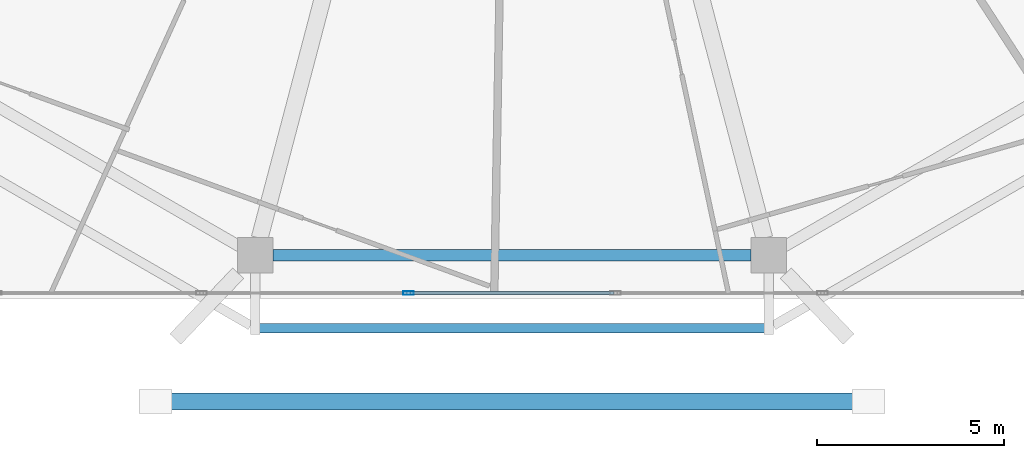
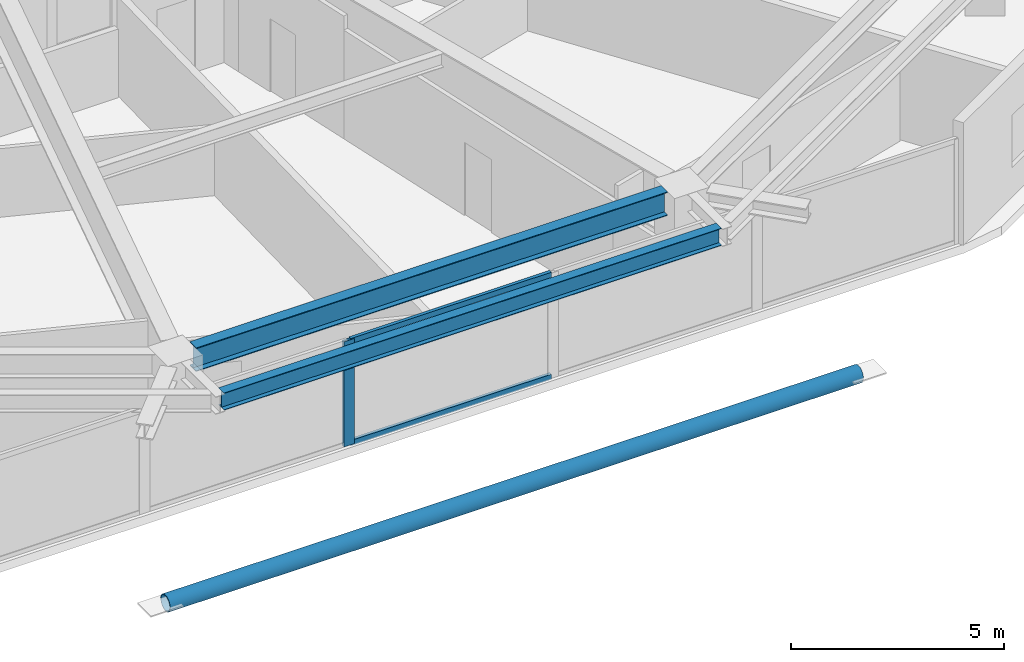
# One storey, part 4 of 28: 4 members, 2 beams, 1 element without a shape of its own.
"""IFC4 building model written with IfcOpenShell, lengths in metres."""

from ifc_helpers import new_model, si_unit, direction, frame, origin, origin_2d, place, context, subcontext, project, spatial, hollow_rectangle, hollow_circle, i_section, extrude, material, material_profile, profile_set, type_object, element, aggregate, save


model = new_model("IFC4")

# Units and contexts
model_context = context("Model", 3, precision=1e-05, world=origin(), true_north=direction((0.0, 1.0)))
body_context = subcontext(model_context, "Body", "Model", "MODEL_VIEW")
ifc_project = project(units=[si_unit("LENGTHUNIT", "METRE"), si_unit("AREAUNIT", "SQUARE_METRE"), si_unit("VOLUMEUNIT", "CUBIC_METRE"), si_unit("PLANEANGLEUNIT", "RADIAN"), si_unit("MASSUNIT", "GRAM", prefix="KILO")], contexts=[model_context])

# Site, building, storey
site_placement = place(None, origin())
site = spatial("IfcSite", under=ifc_project, at=site_placement, CompositionType="ELEMENT")
building_placement = place(site_placement, origin())
building = spatial("IfcBuilding", under=site, at=building_placement, Name="Zuhravey Tower", CompositionType="ELEMENT")
storey_placement = place(building_placement, frame((0.0, 0.0, 222.60009765625)))
storey = spatial("IfcBuildingStorey", under=building, at=storey_placement, Name="L56", CompositionType="ELEMENT", Elevation=222.60009765625)

# Curtain wall, members
ifc_material_1 = material(Name="Thermally broken anodised aluminium", Category="aluminium")
curtain_wall_type = type_object("IfcCurtainWallType", Name="Zone 1-2 Residential Curtain Wall CW3", PredefinedType="NOTDEFINED", material=ifc_material_1)
curtain_wall_placement = place(storey_placement, origin())
curtain_wall = element("IfcCurtainWall", 1, at=curtain_wall_placement, inside=storey, type_object=curtain_wall_type, Name="L56 CW3 CW-L56-F5-1", PredefinedType="NOTDEFINED")
ifc_material_2 = material(Name="Anodised aluminium", Category="aluminium")
ifc_material_profile_1 = material_profile(ifc_material_2, hollow_rectangle(XDim=0.090087890625, YDim=0.284912109375, WallThickness=0.0048828125, at=origin_2d()), Name="ALU-RHS-90x285x5")
ifc_profile_set_1 = profile_set([ifc_material_profile_1], Name="Anodised aluminium")
member_type_1 = type_object("IfcMemberType", Name="Curtain-Wall Mullion 90x180", PredefinedType="MULLION", material=ifc_profile_set_1)
member_1_placement = place(storey_placement, frame((33.227783203125, 4.81689453125, 0.0), z_axis=(0.0, 0.0, 1.0), x_axis=(0.0, -1.0, 0.0)))
member_1 = element("IfcMember", 2, at=member_1_placement, type_object=member_type_1, Name="CW3 mullion 4", PredefinedType="MULLION", context=body_context, shape_type="SweptSolid", body=[
    extrude(hollow_rectangle(XDim=0.090087890625, YDim=0.284912109375, WallThickness=0.0048828125, at=origin_2d()), origin(), (0.0, 0.0, 1.0), 3.02001953125),
])
ifc_material_profile_2 = material_profile(ifc_material_2, hollow_rectangle(XDim=0.090087890625, YDim=0.14990234375, WallThickness=0.0048828125, at=origin_2d()), Name="ALU-RHS-90x150x5")
ifc_profile_set_2 = profile_set([ifc_material_profile_2], Name="Anodised aluminium")
member_type_2 = type_object("IfcMemberType", Name="Curtain-Wall Transom 90x150", PredefinedType="USERDEFINED", material=ifc_profile_set_2)
member_2_placement = place(storey_placement, frame((38.727294921875, 4.81689453125, 0.044921875), z_axis=(-1.0, 0.0, 0.0), x_axis=(0.0, -1.0, 0.0)))
member_2 = element("IfcMember", 3, at=member_2_placement, type_object=member_type_2, Name="CW3 transom 3.1", ObjectType="TRANSOM", PredefinedType="USERDEFINED", context=body_context, shape_type="SweptSolid", body=[
    extrude(hollow_rectangle(XDim=0.090087890625, YDim=0.14990234375, WallThickness=0.0048828125, at=origin_2d()), origin(), (0.0, 0.0, 1.0), 5.45458984375),
])
member_3_placement = place(storey_placement, frame((38.727294921875, 4.81689453125, 2.974853515625), z_axis=(-1.0, 0.0, 0.0), x_axis=(0.0, -1.0, 0.0)))
member_3 = element("IfcMember", 4, at=member_3_placement, type_object=member_type_2, Name="CW3 transom 3.2", ObjectType="TRANSOM", PredefinedType="USERDEFINED", context=body_context, shape_type="SweptSolid", body=[
    extrude(hollow_rectangle(XDim=0.090087890625, YDim=0.14990234375, WallThickness=0.0048828125, at=origin_2d()), origin(), (0.0, 0.0, 1.0), 5.45458984375),
])
aggregate(curtain_wall, [member_1, member_2, member_3])

# Member
ifc_material_3 = material(Name="Steel SM355", Category="steel")
ifc_material_profile_3 = material_profile(ifc_material_3, hollow_circle(Radius=0.228515625, WallThickness=0.02197265625, at=origin_2d()), Name="CHS-457.2x22")
ifc_profile_set_3 = profile_set([ifc_material_profile_3], Name="Steel SM355")
member_type_3 = type_object("IfcMemberType", Name="Exoskeleton Ring Tie CHS457x22", PredefinedType="CHORD", material=ifc_profile_set_3)
member_4_placement = place(storey_placement, frame((26.5849609375, 1.906982421875, -0.464111328125), z_axis=(1.0, 0.0, 0.0), x_axis=(0.0, 1.0, 0.0)))
element("IfcMember", 5, at=member_4_placement, inside=storey, type_object=member_type_3, Name="L56 Exoskeleton Face 5 Tie EXR1", PredefinedType="CHORD", context=body_context, shape_type="SweptSolid", body=[
    extrude(hollow_circle(Radius=0.228515625, WallThickness=0.02197265625, at=origin_2d()), origin(), (0.0, 0.0, 1.0), 18.830078125),
])

# Beams
ifc_material_profile_4 = material_profile(ifc_material_3, i_section(OverallWidth=0.300048828125, OverallDepth=0.679931640625, WebThickness=0.012939453125, FlangeThickness=0.02197265625, at=origin_2d()), Name="H-680x300x13x22")
ifc_profile_set_4 = profile_set([ifc_material_profile_4], Name="Steel SM355")
beam_type_1 = type_object("IfcBeamType", Name="Perimeter Ring Beam H680x300", PredefinedType="BEAM", material=ifc_profile_set_4)
beam_1_placement = place(storey_placement, frame((29.595947265625, 5.826904296875, 3.179931640625), z_axis=(1.0, 0.0, 0.0), x_axis=(0.0, 1.0, 0.0)))
element("IfcBeam", 6, at=beam_1_placement, inside=storey, type_object=beam_type_1, Name="L56 PB2 BM-L56-PB-09", PredefinedType="BEAM", context=body_context, shape_type="SweptSolid", body=[
    extrude(i_section(OverallWidth=0.300048828125, OverallDepth=0.679931640625, WebThickness=0.012939453125, FlangeThickness=0.02197265625, at=origin_2d()), origin(), (0.0, 0.0, 1.0), 12.80810546875),
])
ifc_material_profile_5 = material_profile(ifc_material_3, i_section(OverallWidth=0.25, OverallDepth=0.5, WebThickness=0.010009765625, FlangeThickness=0.01611328125, at=origin_2d()), Name="H-500x250x10x16")
ifc_profile_set_5 = profile_set([ifc_material_profile_5], Name="Steel SM355")
beam_type_2 = type_object("IfcBeamType", Name="Tray Cantilever Spandrel H500x250", PredefinedType="SPANDREL", material=ifc_profile_set_5)
beam_2_placement = place(storey_placement, frame((29.240966796875, 3.876953125, 3.27001953125), z_axis=(1.0, 0.0, 0.0), x_axis=(0.0, 1.0, 0.0)))
element("IfcBeam", 7, at=beam_2_placement, inside=storey, type_object=beam_type_2, Name="L56 Sky-Tray Edge Spandrel TSB1-09", PredefinedType="SPANDREL", context=body_context, shape_type="SweptSolid", body=[
    extrude(i_section(OverallWidth=0.25, OverallDepth=0.5, WebThickness=0.010009765625, FlangeThickness=0.01611328125, at=origin_2d()), origin(), (0.0, 0.0, 1.0), 13.51806640625),
])

save(model, "model.ifc")
